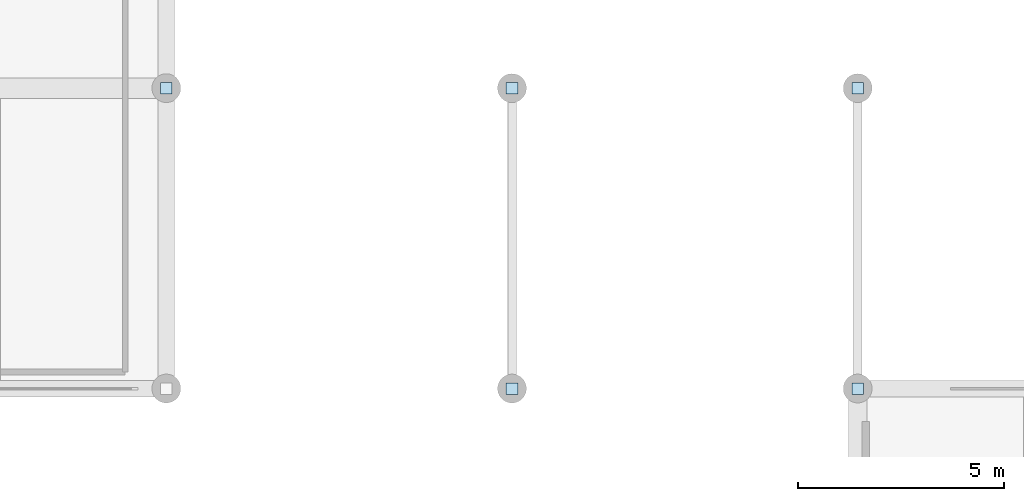
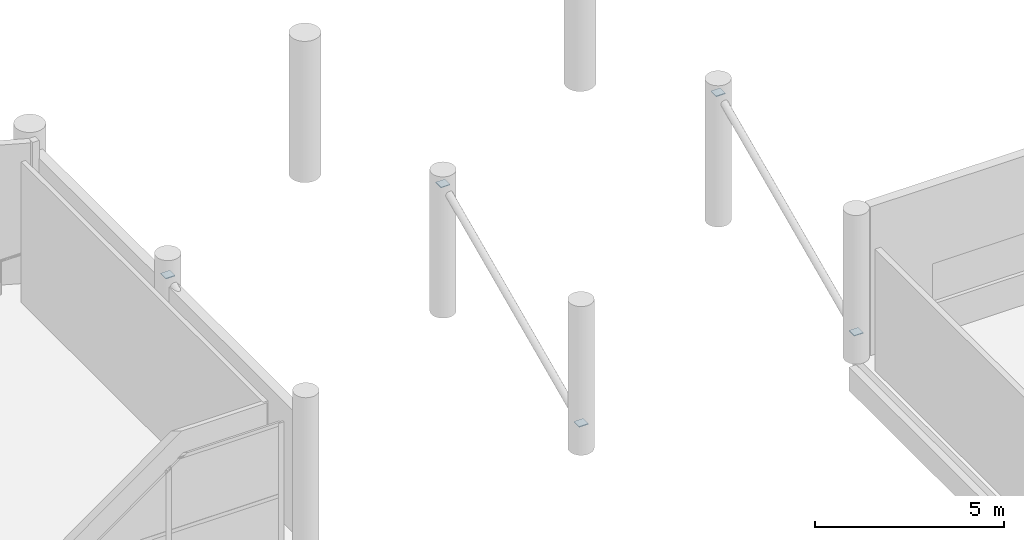
# One storey, part 31 of 47: 5 plates.
"""IFC4 building model written with IfcOpenShell, lengths in metres."""

from ifc_helpers import new_model, si_unit, direction, frame, origin, origin_2d, place, context, subcontext, project, spatial, rectangle, extrude, material, layer, layer_set, type_object, element, save


model = new_model("IFC4")

# Units and contexts
model_context = context("Model", 3, precision=1e-05, world=origin(), true_north=direction((0.0, 1.0)))
body_context = subcontext(model_context, "Body", "Model", "MODEL_VIEW")
ifc_project = project(units=[si_unit("LENGTHUNIT", "METRE"), si_unit("AREAUNIT", "SQUARE_METRE"), si_unit("VOLUMEUNIT", "CUBIC_METRE"), si_unit("PLANEANGLEUNIT", "RADIAN"), si_unit("MASSUNIT", "GRAM", prefix="KILO")], contexts=[model_context])

# Site, building, storey
site_placement = place(None, origin())
site = spatial("IfcSite", under=ifc_project, at=site_placement, CompositionType="ELEMENT")
building_placement = place(site_placement, origin())
building = spatial("IfcBuilding", under=site, at=building_placement, Name="Vharandega Faculty of Natural Sciences", CompositionType="ELEMENT")
storey_placement = place(building_placement, frame((0.0, 0.0, 5.39990234375)))
storey = spatial("IfcBuildingStorey", under=building, at=storey_placement, Name="L01", CompositionType="ELEMENT", Elevation=5.39990234375)

# Plates
ifc_material = material(Name="Steel S355", Category="steel")
ifc_layer = layer(ifc_material, 0.02490234375, Name="Steel S355")
ifc_layer_set = layer_set([ifc_layer], Name="Steel S355")
plate_type = type_object("IfcPlateType", Name="Hollow Section End Cap Plate 25mm", PredefinedType="USERDEFINED", material=ifc_layer_set)
for number, where, z_axis, x_axis, name in (
    (1, (72.800048828125, 104.300048828125, 4.087646484375), (0.0, 0.0, 1.0), (1.0, 0.0, 0.0), "Node Cap Plate V6-10 #126"),
    (2, (81.199951171875, 97.0, 0.78759765625), (0.0, 0.0, 1.0), (1.0, 0.0, 0.0), "Node Cap Plate V6-11 #127"),
    (3, (81.199951171875, 104.300048828125, 4.087646484375), (0.0, 0.0, 1.0), (1.0, 0.0, 0.0), "Node Cap Plate V6-11 #128"),
    (4, (89.60009765625, 97.0, 0.78759765625), (0.0, 0.0, 1.0), (1.0, 0.0, 0.0), "Node Cap Plate V6-12 #129"),
    (5, (89.60009765625, 104.300048828125, 4.087646484375), (0.0, 0.0, 1.0), (1.0, 0.0, 0.0), "Node Cap Plate V6-12 #130"),
):
    element("IfcPlate", number, at=place(storey_placement, frame(where, z_axis=z_axis, x_axis=x_axis)), inside=storey, type_object=plate_type, Name=name, ObjectType="CAP PLATE", PredefinedType="USERDEFINED", context=body_context, shape_type="SweptSolid", body=[
        extrude(rectangle(XDim=0.280029296875, YDim=0.280029296875, at=origin_2d()), origin(), (0.0, 0.0, 1.0), 0.02490234375),
    ])

save(model, "model.ifc")
